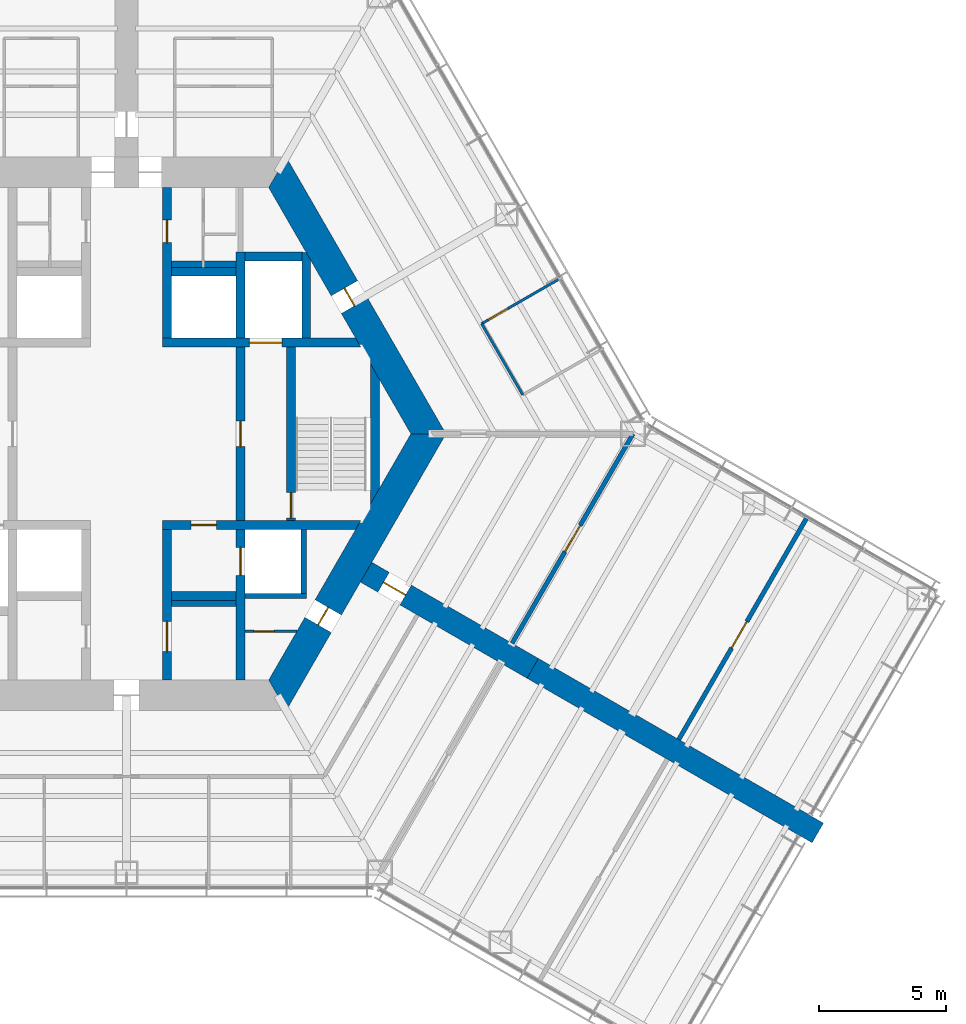
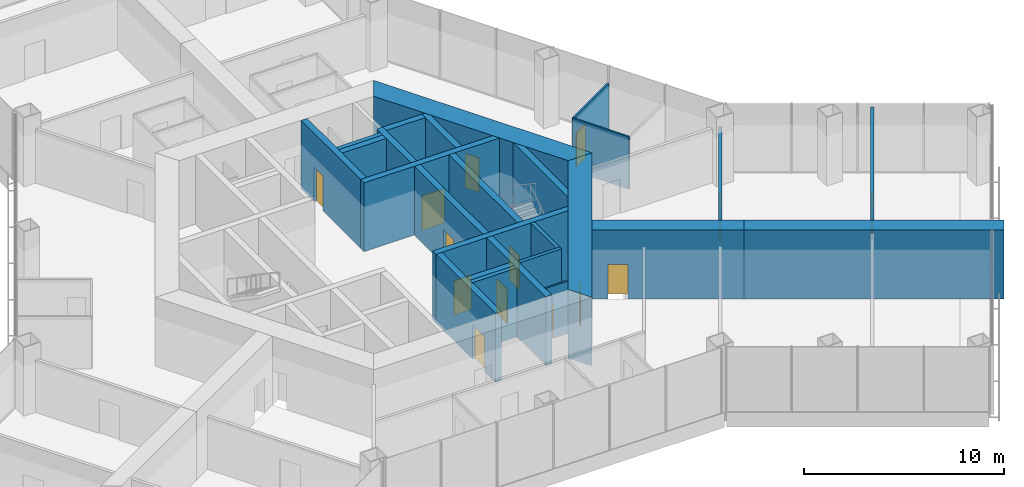
# One storey, part 12 of 16: 26 walls, 14 doors, 14 openings.
"""IFC4 building model written with IfcOpenShell, lengths in metres."""

from ifc_helpers import new_model, si_unit, direction, frame, frame_2d, origin, place, context, subcontext, project, spatial, polyline, rectangle, outline, extrude, material, layer, layer_set, type_object, element, fill, save


model = new_model("IFC4")

# Units and contexts
model_context = context("Model", 3, precision=1e-05, world=origin(), true_north=direction((0.0, 1.0)))
body_context = subcontext(model_context, "Body", "Model", "MODEL_VIEW")
ifc_project = project(units=[si_unit("LENGTHUNIT", "METRE"), si_unit("AREAUNIT", "SQUARE_METRE"), si_unit("VOLUMEUNIT", "CUBIC_METRE"), si_unit("PLANEANGLEUNIT", "RADIAN"), si_unit("MASSUNIT", "GRAM", prefix="KILO")], contexts=[model_context])

# Site, building, storey
site_placement = place(None, origin())
site = spatial("IfcSite", under=ifc_project, at=site_placement, CompositionType="ELEMENT")
building_placement = place(site_placement, origin())
building = spatial("IfcBuilding", under=site, at=building_placement, Name="Kasaneha Research Tower", CompositionType="ELEMENT")
storey_placement = place(building_placement, frame((0.0, 0.0, 22.60009765625)))
storey = spatial("IfcBuildingStorey", under=building, at=storey_placement, Name="L06", CompositionType="ELEMENT", Elevation=22.60009765625)

# Wall, opening, door
ifc_material_1 = material(Name="Concrete Fc100", Category="concrete")
ifc_layer_1 = layer(ifc_material_1, 0.35009765625)
ifc_layer_set_1 = layer_set([ifc_layer_1], Name="Core internal wall 350 Fc100")
wall_type_1 = type_object("IfcWallType", Name="Core internal wall 350 Fc100", PredefinedType="SHEAR", material=ifc_layer_set_1)
wall_1_placement = place(storey_placement, frame((1.425048828125, 3.60009765625, 0.0), z_axis=(0.0, 0.0, 1.0), x_axis=(1.0, 0.0, 0.0)))
wall_1 = element("IfcWall", 1, at=wall_1_placement, inside=storey, type_object=wall_type_1, Name="Core wall W1E L06", PredefinedType="SHEAR", context=body_context, shape_type="SweptSolid", body=[
    extrude(outline(polyline([(0.0, -0.175048828125), (3.425048828125, -0.175048828125), (4.72509765625, -0.175048828125), (7.8271484375, -0.175048828125), (7.625, 0.175048828125), (4.72509765625, 0.175048828125), (3.425048828125, 0.175048828125), (0.0, 0.175048828125), (0.0, -0.175048828125)])), origin(), (0.0, 0.0, 1.0), 4.199951171875),
])
opening_1_placement = place(wall_1_placement, frame((3.425048828125, 0.0, 0.0)))
opening_1 = element("IfcOpeningElement", 2, at=opening_1_placement, cuts=wall_1, Name="Opening LD-FL1-L06", PredefinedType="OPENING", context=body_context, shape_type="SweptSolid", body=[
    extrude(rectangle(XDim=1.300048828125, YDim=2.10009765625, at=frame_2d((0.64990234375, 1.050048828125))), frame((0.0, 0.18505859375, 0.0), z_axis=(0.0, -1.0, 0.0), x_axis=(1.0, 0.0, 0.0)), (0.0, 0.0, 1.0), 0.3701171875),
])
ifc_material_2 = material(Name="Steel", Category="steel")
door_type_1 = type_object("IfcDoorType", Name="Lift landing door 1300x2100", OperationType="DOUBLE_DOOR_SLIDING", PredefinedType="DOOR", material=ifc_material_2)
door_1_placement = place(opening_1_placement, origin())
door_1 = element("IfcDoor", 3, at=door_1_placement, inside=storey, type_object=door_type_1, Name="Landing door FL1 LD-FL1-L06", OperationType="DOUBLE_DOOR_SLIDING", OverallHeight=2.10009765625, OverallWidth=1.300048828125, PredefinedType="DOOR", context=body_context, shape_type="SweptSolid", body=[
    extrude(rectangle(XDim=1.300048828125, YDim=2.10009765625, at=frame_2d((0.64990234375, 1.050048828125))), frame((0.0, 0.02490234375, 0.0), z_axis=(0.0, -1.0, 0.0), x_axis=(1.0, 0.0, 0.0)), (0.0, 0.0, 1.0), 0.050048828125),
])
fill(opening_1, door_1)

wall_2_placement = place(storey_placement, frame((1.425048828125, -3.60009765625, 0.0), z_axis=(0.0, 0.0, 1.0), x_axis=(1.0, 0.0, 0.0)))
wall_2 = element("IfcWall", 4, at=wall_2_placement, inside=storey, type_object=wall_type_1, Name="Core wall W2E L06", PredefinedType="SHEAR", context=body_context, shape_type="SweptSolid", body=[
    extrude(outline(polyline([(0.0, -0.175048828125), (1.125, -0.175048828125), (2.125, -0.175048828125), (7.625, -0.175048828125), (7.8271484375, 0.175048828125), (2.125, 0.175048828125), (1.125, 0.175048828125), (0.0, 0.175048828125), (0.0, -0.175048828125)])), origin(), (0.0, 0.0, 1.0), 4.199951171875),
])
opening_2_placement = place(wall_2_placement, frame((1.125, 0.0, 0.0)))
opening_2 = element("IfcOpeningElement", 5, at=opening_2_placement, cuts=wall_2, Name="Opening L06-LV", PredefinedType="OPENING", context=body_context, shape_type="SweptSolid", body=[
    extrude(rectangle(XDim=1.0, YDim=2.10009765625, at=frame_2d((0.5, 1.050048828125))), frame((0.0, 0.18505859375, 0.0), z_axis=(0.0, -1.0, 0.0), x_axis=(1.0, 0.0, 0.0)), (0.0, 0.0, 1.0), 0.3701171875),
])
ifc_material_3 = material(Name="Steel", Category="steel")
door_type_2 = type_object("IfcDoorType", Name="Specified fire door FD60 1000x2100", OperationType="NOTDEFINED", PredefinedType="DOOR", material=ifc_material_3)
door_2_placement = place(opening_2_placement, origin())
door_2 = element("IfcDoor", 6, at=door_2_placement, inside=storey, type_object=door_type_2, Name="Podium vestibule door L06-LV", OperationType="SINGLE_SWING_LEFT", OverallHeight=2.10009765625, OverallWidth=1.0, PredefinedType="DOOR", context=body_context, shape_type="SweptSolid", body=[
    extrude(rectangle(XDim=1.0, YDim=2.10009765625, at=frame_2d((0.5, 1.050048828125))), frame((0.0, 0.02490234375, 0.0), z_axis=(0.0, -1.0, 0.0), x_axis=(1.0, 0.0, 0.0)), (0.0, 0.0, 1.0), 0.050048828125),
])
fill(opening_2, door_2)

wall_3_placement = place(storey_placement, frame((1.60009765625, 3.77490234375, 0.0), z_axis=(0.0, 0.0, 1.0), x_axis=(0.0, 1.0, 0.0)))
wall_3 = element("IfcWall", 7, at=wall_3_placement, inside=storey, type_object=wall_type_1, Name="Core wall CNE L06", PredefinedType="SHEAR", context=body_context, shape_type="SweptSolid", body=[
    extrude(rectangle(XDim=5.9501953125, YDim=0.35009765625, at=frame_2d((2.97509765625, 0.0))), origin(), (0.0, 0.0, 1.0), 4.199951171875),
])
opening_3_placement = place(wall_3_placement, frame((3.77490234375, 0.0, 0.0)))
opening_3 = element("IfcOpeningElement", 8, at=opening_3_placement, cuts=wall_3, Name="Opening L06-D14", PredefinedType="OPENING", context=body_context, shape_type="SweptSolid", body=[
    extrude(rectangle(XDim=0.89990234375, YDim=2.10009765625, at=frame_2d((0.449951171875, 1.050048828125))), frame((0.0, 0.18505859375, 0.0), z_axis=(0.0, -1.0, 0.0), x_axis=(1.0, 0.0, 0.0)), (0.0, 0.0, 1.0), 0.3701171875),
])
ifc_material_4 = material(Name="Steel", Category="steel")
door_type_3 = type_object("IfcDoorType", Name="Toilet door FD20 900x2100", OperationType="NOTDEFINED", PredefinedType="DOOR", material=ifc_material_4)
door_3_placement = place(opening_3_placement, origin())
door_3 = element("IfcDoor", 9, at=door_3_placement, inside=storey, type_object=door_type_3, Name="Women's WC door L06-D14", OperationType="SINGLE_SWING_LEFT", OverallHeight=2.10009765625, OverallWidth=0.89990234375, PredefinedType="DOOR", context=body_context, shape_type="SweptSolid", body=[
    extrude(rectangle(XDim=0.89990234375, YDim=2.10009765625, at=frame_2d((0.449951171875, 1.050048828125))), frame((0.0, 0.02490234375, 0.0), z_axis=(0.0, -1.0, 0.0), x_axis=(1.0, 0.0, 0.0)), (0.0, 0.0, 1.0), 0.050048828125),
])
fill(opening_3, door_3)

wall_4_placement = place(storey_placement, frame((1.60009765625, -3.77490234375, 0.0), z_axis=(0.0, 0.0, 1.0), x_axis=(0.0, -1.0, 0.0)))
wall_4 = element("IfcWall", 10, at=wall_4_placement, inside=storey, type_object=wall_type_1, Name="Core wall CSE L06", PredefinedType="SHEAR", context=body_context, shape_type="SweptSolid", body=[
    extrude(rectangle(XDim=5.9501953125, YDim=0.35009765625, at=frame_2d((2.97509765625, 0.0))), origin(), (0.0, 0.0, 1.0), 4.199951171875),
])
opening_4_placement = place(wall_4_placement, frame((3.625, 0.0, 0.0)))
opening_4 = element("IfcOpeningElement", 11, at=opening_4_placement, cuts=wall_4, Name="Opening L06-D15", PredefinedType="OPENING", context=body_context, shape_type="SweptSolid", body=[
    extrude(rectangle(XDim=1.199951171875, YDim=2.10009765625, at=frame_2d((0.60009765625, 1.050048828125))), frame((0.0, 0.18505859375, 0.0), z_axis=(0.0, -1.0, 0.0), x_axis=(1.0, 0.0, 0.0)), (0.0, 0.0, 1.0), 0.3701171875),
])
ifc_material_5 = material(Name="Steel", Category="steel")
door_type_4 = type_object("IfcDoorType", Name="Accessible toilet sliding door FD20 1200x2100", OperationType="SLIDING_TO_LEFT", PredefinedType="DOOR", material=ifc_material_5)
door_4_placement = place(opening_4_placement, origin())
door_4 = element("IfcDoor", 12, at=door_4_placement, inside=storey, type_object=door_type_4, Name="Accessible WC door L06-D15", OperationType="SLIDING_TO_LEFT", OverallHeight=2.10009765625, OverallWidth=1.199951171875, PredefinedType="DOOR", context=body_context, shape_type="SweptSolid", body=[
    extrude(rectangle(XDim=1.199951171875, YDim=2.10009765625, at=frame_2d((0.60009765625, 1.050048828125))), frame((0.0, 0.02490234375, 0.0), z_axis=(0.0, -1.0, 0.0), x_axis=(1.0, 0.0, 0.0)), (0.0, 0.0, 1.0), 0.050048828125),
])
fill(opening_4, door_4)

wall_5_placement = place(storey_placement, frame((4.5, -3.425048828125, 0.0), z_axis=(0.0, 0.0, 1.0), x_axis=(0.0, 1.0, 0.0)))
wall_5 = element("IfcWall", 13, at=wall_5_placement, inside=storey, type_object=wall_type_1, Name="Core wall LBE L06", PredefinedType="SHEAR", context=body_context, shape_type="SweptSolid", body=[
    extrude(rectangle(XDim=6.85009765625, YDim=0.35009765625, at=frame_2d((3.425048828125, 0.0))), origin(), (0.0, 0.0, 1.0), 4.199951171875),
])
opening_5_placement = place(wall_5_placement, frame((2.925048828125, 0.0, 0.0)))
opening_5 = element("IfcOpeningElement", 14, at=opening_5_placement, cuts=wall_5, Name="Opening L06-D08", PredefinedType="OPENING", context=body_context, shape_type="SweptSolid", body=[
    extrude(rectangle(XDim=1.0, YDim=2.10009765625, at=frame_2d((0.5, 1.050048828125))), frame((0.0, 0.18505859375, 0.0), z_axis=(0.0, -1.0, 0.0), x_axis=(1.0, 0.0, 0.0)), (0.0, 0.0, 1.0), 0.3701171875),
])
door_5_placement = place(opening_5_placement, origin())
door_5 = element("IfcDoor", 15, at=door_5_placement, inside=storey, type_object=door_type_2, Name="Lift lobby door east L06-D08", OperationType="SINGLE_SWING_LEFT", OverallHeight=2.10009765625, OverallWidth=1.0, PredefinedType="DOOR", context=body_context, shape_type="SweptSolid", body=[
    extrude(rectangle(XDim=1.0, YDim=2.10009765625, at=frame_2d((0.5, 1.050048828125))), frame((0.0, 0.02490234375, 0.0), z_axis=(0.0, -1.0, 0.0), x_axis=(1.0, 0.0, 0.0)), (0.0, 0.0, 1.0), 0.050048828125),
])
fill(opening_5, door_5)

wall_6_placement = place(storey_placement, frame((6.5, -3.425048828125, 0.0), z_axis=(0.0, 0.0, 1.0), x_axis=(0.0, 1.0, 0.0)))
wall_6 = element("IfcWall", 16, at=wall_6_placement, inside=storey, type_object=wall_type_1, Name="Core wall ANE L06", PredefinedType="SHEAR", context=body_context, shape_type="SweptSolid", body=[
    extrude(rectangle(XDim=6.85009765625, YDim=0.35009765625, at=frame_2d((3.425048828125, 0.0))), origin(), (0.0, 0.0, 1.0), 4.199951171875),
])
opening_6_placement = place(wall_6_placement, frame((0.10009765625, 0.0, 0.0)))
opening_6 = element("IfcOpeningElement", 17, at=opening_6_placement, cuts=wall_6, Name="Opening L06-D10", PredefinedType="OPENING", context=body_context, shape_type="SweptSolid", body=[
    extrude(rectangle(XDim=1.0, YDim=2.10009765625, at=frame_2d((0.5, 1.050048828125))), frame((0.0, 0.18505859375, 0.0), z_axis=(0.0, -1.0, 0.0), x_axis=(1.0, 0.0, 0.0)), (0.0, 0.0, 1.0), 0.3701171875),
])
door_6_placement = place(opening_6_placement, origin())
door_6 = element("IfcDoor", 18, at=door_6_placement, inside=storey, type_object=door_type_2, Name="Stair 1 door L06-D10", OperationType="SINGLE_SWING_LEFT", OverallHeight=2.10009765625, OverallWidth=1.0, PredefinedType="DOOR", context=body_context, shape_type="SweptSolid", body=[
    extrude(rectangle(XDim=1.0, YDim=2.10009765625, at=frame_2d((0.5, 1.050048828125))), frame((0.0, 0.02490234375, 0.0), z_axis=(0.0, -1.0, 0.0), x_axis=(1.0, 0.0, 0.0)), (0.0, 0.0, 1.0), 0.050048828125),
])
fill(opening_6, door_6)

# Wall
wall_7_placement = place(storey_placement, frame((4.5, 3.77490234375, 0.0), z_axis=(0.0, 0.0, 1.0), x_axis=(0.0, 1.0, 0.0)))
element("IfcWall", 19, at=wall_7_placement, inside=storey, type_object=wall_type_1, Name="Core wall FNE L06", PredefinedType="SHEAR", context=body_context, shape_type="SweptSolid", body=[
    extrude(rectangle(XDim=3.400146484375, YDim=0.35009765625, at=frame_2d((1.7001953125, 0.0))), origin(), (0.0, 0.0, 1.0), 4.199951171875),
])

# Wall, opening, door
wall_8_placement = place(storey_placement, frame((4.5, -3.77490234375, 0.0), z_axis=(0.0, 0.0, 1.0), x_axis=(0.0, -1.0, 0.0)))
wall_8 = element("IfcWall", 20, at=wall_8_placement, inside=storey, type_object=wall_type_1, Name="Core wall SSE L06", PredefinedType="SHEAR", context=body_context, shape_type="SweptSolid", body=[
    extrude(rectangle(XDim=5.9501953125, YDim=0.35009765625, at=frame_2d((2.97509765625, 0.0))), origin(), (0.0, 0.0, 1.0), 4.199951171875),
])
opening_7_placement = place(wall_8_placement, frame((0.71240234375, 0.0, 0.0)))
opening_7 = element("IfcOpeningElement", 21, at=opening_7_placement, cuts=wall_8, Name="Opening LD-PL1-L06", PredefinedType="OPENING", context=body_context, shape_type="SweptSolid", body=[
    extrude(rectangle(XDim=1.10009765625, YDim=2.10009765625, at=frame_2d((0.550048828125, 1.050048828125))), frame((0.0, 0.18505859375, 0.0), z_axis=(0.0, -1.0, 0.0), x_axis=(1.0, 0.0, 0.0)), (0.0, 0.0, 1.0), 0.3701171875),
])
ifc_material_6 = material(Name="Steel", Category="steel")
door_type_5 = type_object("IfcDoorType", Name="Lift landing door 1100x2100", OperationType="DOUBLE_DOOR_SLIDING", PredefinedType="DOOR", material=ifc_material_6)
door_7_placement = place(opening_7_placement, origin())
door_7 = element("IfcDoor", 22, at=door_7_placement, inside=storey, type_object=door_type_5, Name="Landing door PL1 LD-PL1-L06", OperationType="DOUBLE_DOOR_SLIDING", OverallHeight=2.10009765625, OverallWidth=1.10009765625, PredefinedType="DOOR", context=body_context, shape_type="SweptSolid", body=[
    extrude(rectangle(XDim=1.10009765625, YDim=2.10009765625, at=frame_2d((0.550048828125, 1.050048828125))), frame((0.0, 0.02490234375, 0.0), z_axis=(0.0, -1.0, 0.0), x_axis=(1.0, 0.0, 0.0)), (0.0, 0.0, 1.0), 0.050048828125),
])
fill(opening_7, door_7)

# Walls
for number, where, z_axis, x_axis, name in (
    (23, (1.77490234375, 6.39990234375, 0.0), (0.0, 0.0, 1.0), (1.0, 0.0, 0.0), "Core wall N3N L06"),
    (24, (1.77490234375, -6.39990234375, 0.0), (0.0, 0.0, 1.0), (1.0, 0.0, 0.0), "Core wall S3S L06"),
):
    element("IfcWall", number, at=place(storey_placement, frame(where, z_axis=z_axis, x_axis=x_axis)), inside=storey, type_object=wall_type_1, Name=name, PredefinedType="SHEAR", context=body_context, shape_type="SweptSolid", body=[
        extrude(rectangle(XDim=2.550048828125, YDim=0.35009765625, at=frame_2d((1.27490234375, 0.0))), origin(), (0.0, 0.0, 1.0), 4.199951171875),
    ])
wall_9_placement = place(storey_placement, frame((4.675048828125, 7.0, 0.0), z_axis=(0.0, 0.0, 1.0), x_axis=(1.0, 0.0, 0.0)))
element("IfcWall", 25, at=wall_9_placement, inside=storey, type_object=wall_type_1, Name="Core wall F1N L06", PredefinedType="SHEAR", context=body_context, shape_type="SweptSolid", body=[
    extrude(rectangle(XDim=2.25, YDim=0.35009765625, at=frame_2d((1.125, 0.0))), origin(), (0.0, 0.0, 1.0), 4.199951171875),
])
wall_10_placement = place(storey_placement, frame((7.10009765625, 3.77490234375, 0.0), z_axis=(0.0, 0.0, 1.0), x_axis=(0.0, 1.0, 0.0)))
element("IfcWall", 26, at=wall_10_placement, inside=storey, type_object=wall_type_1, Name="Core wall F1E L06", PredefinedType="SHEAR", context=body_context, shape_type="SweptSolid", body=[
    extrude(outline(polyline([(0.0, -0.175048828125), (3.07421875, -0.175048828125), (3.37744140625, 0.0), (3.39990234375, 0.175048828125), (0.0, 0.175048828125), (0.0, -0.175048828125)])), origin(), (0.0, 0.0, 1.0), 4.199951171875),
])
wall_11_placement = place(storey_placement, frame((9.807861328125, -2.462158203125, 0.0), z_axis=(0.0, 0.0, 1.0), x_axis=(0.0, 1.0, 0.0)))
element("IfcWall", 27, at=wall_11_placement, inside=storey, type_object=wall_type_1, Name="Core wall STE L06", PredefinedType="SHEAR", context=body_context, shape_type="SweptSolid", body=[
    extrude(outline(polyline([(0.30322265625, -0.175048828125), (4.62109375, -0.175048828125), (5.2275390625, 0.175048828125), (-0.30322265625, 0.175048828125), (0.30322265625, -0.175048828125)])), origin(), (0.0, 0.0, 1.0), 4.199951171875),
])

# Wall, opening, door
ifc_material_7 = material(Name="Concrete Fc100", Category="concrete")
ifc_layer_2 = layer(ifc_material_7, 1.199951171875)
ifc_layer_set_2 = layer_set([ifc_layer_2], Name="Core wall 1200 Fc100")
wall_type_2 = type_object("IfcWallType", Name="Core wall 1200 Fc100", PredefinedType="SHEAR", material=ifc_layer_set_2)
wall_12_placement = place(storey_placement, frame((11.92236328125, 0.0, 0.0), z_axis=(0.0, 0.0, 1.0), x_axis=(-0.500004296715, 0.866022923061, 0.0)))
wall_12 = element("IfcWall", 28, at=wall_12_placement, inside=storey, type_object=wall_type_2, Name="Core wall 030 L06", PredefinedType="SHEAR", context=body_context, shape_type="SweptSolid", body=[
    extrude(outline(polyline([(-0.346435546875, -0.60009765625), (5.83544921875, -0.60009765625), (6.635498046875, -0.60009765625), (12.268798828125, -0.60009765625), (11.575927734375, 0.60009765625), (6.635498046875, 0.60009765625), (5.83544921875, 0.60009765625), (0.346435546875, 0.60009765625), (-0.346435546875, -0.60009765625)])), origin(), (0.0, 0.0, 1.0), 4.199951171875),
])
opening_8_placement = place(wall_12_placement, frame((5.83544921875, 0.0, 0.0)))
opening_8 = element("IfcOpeningElement", 29, at=opening_8_placement, cuts=wall_12, Name="Opening L06-D04", PredefinedType="OPENING", context=body_context, shape_type="SweptSolid", body=[
    extrude(rectangle(XDim=0.800048828125, YDim=2.10009765625, at=frame_2d((0.39990234375, 1.050048828125))), frame((0.0, 0.60986328125, 0.0), z_axis=(0.0, -1.0, 0.0), x_axis=(1.0, 0.0, 0.0)), (0.0, 0.0, 1.0), 1.219970703125),
])
ifc_material_8 = material(Name="Steel", Category="steel")
door_type_6 = type_object("IfcDoorType", Name="Riser access door FD60 800x2100", OperationType="NOTDEFINED", PredefinedType="DOOR", material=ifc_material_8)
door_8_placement = place(opening_8_placement, origin())
door_8 = element("IfcDoor", 30, at=door_8_placement, inside=storey, type_object=door_type_6, Name="Pipe riser door L06-D04", OperationType="SINGLE_SWING_RIGHT", OverallHeight=2.10009765625, OverallWidth=0.800048828125, PredefinedType="DOOR", context=body_context, shape_type="SweptSolid", body=[
    extrude(rectangle(XDim=0.800048828125, YDim=2.10009765625, at=frame_2d((0.39990234375, 1.050048828125))), frame((0.0, 0.02490234375, 0.0), z_axis=(0.0, -1.0, 0.0), x_axis=(1.0, 0.0, 0.0)), (0.0, 0.0, 1.0), 0.050048828125),
])
fill(opening_8, door_8)

wall_13_placement = place(storey_placement, frame((5.961181640625, -10.324951171875, 0.0), z_axis=(0.0, 0.0, 1.0), x_axis=(0.500004296715, 0.866022923061, 0.0)))
wall_13 = element("IfcWall", 31, at=wall_13_placement, inside=storey, type_object=wall_type_2, Name="Core wall 330 L06", PredefinedType="SHEAR", context=body_context, shape_type="SweptSolid", body=[
    extrude(outline(polyline([(-0.346435546875, -0.60009765625), (3.20849609375, -0.60009765625), (4.008544921875, -0.60009765625), (12.268798828125, -0.60009765625), (11.575927734375, 0.60009765625), (4.008544921875, 0.60009765625), (3.20849609375, 0.60009765625), (0.346435546875, 0.60009765625), (-0.346435546875, -0.60009765625)])), origin(), (0.0, 0.0, 1.0), 4.199951171875),
])
opening_9_placement = place(wall_13_placement, frame((3.20849609375, 0.0, 0.0)))
opening_9 = element("IfcOpeningElement", 32, at=opening_9_placement, cuts=wall_13, Name="Opening L06-D05", PredefinedType="OPENING", context=body_context, shape_type="SweptSolid", body=[
    extrude(rectangle(XDim=0.800048828125, YDim=2.10009765625, at=frame_2d((0.39990234375, 1.050048828125))), frame((0.0, 0.60986328125, 0.0), z_axis=(0.0, -1.0, 0.0), x_axis=(1.0, 0.0, 0.0)), (0.0, 0.0, 1.0), 1.219970703125),
])
door_9_placement = place(opening_9_placement, origin())
door_9 = element("IfcDoor", 33, at=door_9_placement, inside=storey, type_object=door_type_6, Name="Pipe riser door L06-D05", OperationType="SINGLE_SWING_LEFT", OverallHeight=2.10009765625, OverallWidth=0.800048828125, PredefinedType="DOOR", context=body_context, shape_type="SweptSolid", body=[
    extrude(rectangle(XDim=0.800048828125, YDim=2.10009765625, at=frame_2d((0.39990234375, 1.050048828125))), frame((0.0, 0.02490234375, 0.0), z_axis=(0.0, -1.0, 0.0), x_axis=(1.0, 0.0, 0.0)), (0.0, 0.0, 1.0), 0.050048828125),
])
fill(opening_9, door_9)

ifc_material_9 = material(Name="Gypsum board on steel studs, two layers each side", Category="steel")
ifc_layer_3 = layer(ifc_material_9, 0.175048828125)
ifc_layer_set_3 = layer_set([ifc_layer_3], Name="Laboratory fire partition 175")
wall_type_3 = type_object("IfcWallType", Name="Laboratory fire partition 175", PredefinedType="PARTITIONING", material=ifc_layer_set_3)
wall_14_placement = place(storey_placement, frame((15.22509765625, -8.2705078125, 0.0), z_axis=(0.0, 0.0, 1.0), x_axis=(0.499993908199, 0.866028920859, 0.0)))
wall_14 = element("IfcWall", 34, at=wall_14_placement, inside=storey, type_object=wall_type_3, Name="Laboratory fire partition LABC-E L06", PredefinedType="PARTITIONING", context=body_context, shape_type="SweptSolid", body=[
    extrude(rectangle(XDim=9.5498046875, YDim=0.175048828125, at=frame_2d((4.77490234375, 0.0))), origin(), (0.0, 0.0, 1.0), 3.2080078125),
])
opening_10_placement = place(wall_14_placement, frame((4.175048828125, 0.0, 0.0)))
opening_10 = element("IfcOpeningElement", 35, at=opening_10_placement, cuts=wall_14, Name="Opening L06-D42", PredefinedType="OPENING", context=body_context, shape_type="SweptSolid", body=[
    extrude(rectangle(XDim=1.199951171875, YDim=2.10009765625, at=frame_2d((0.60009765625, 1.050048828125))), frame((0.0, 0.09765625, 0.0), z_axis=(0.0, -1.0, 0.0), x_axis=(1.0, 0.0, 0.0)), (0.0, 0.0, 1.0), 0.195068359375),
])
ifc_material_10 = material(Name="Steel", Category="steel")
door_type_7 = type_object("IfcDoorType", Name="Laboratory door FD60 1200x2100", OperationType="DOUBLE_DOOR_SINGLE_SWING", PredefinedType="DOOR", material=ifc_material_10)
door_10_placement = place(opening_10_placement, origin())
door_10 = element("IfcDoor", 36, at=door_10_placement, inside=storey, type_object=door_type_7, Name="Laboratory door L06-D42", OperationType="DOUBLE_DOOR_SINGLE_SWING", OverallHeight=2.10009765625, OverallWidth=1.199951171875, PredefinedType="DOOR", context=body_context, shape_type="SweptSolid", body=[
    extrude(rectangle(XDim=1.199951171875, YDim=2.10009765625, at=frame_2d((0.60009765625, 1.050048828125))), frame((0.0, 0.02490234375, 0.0), z_axis=(0.0, -1.0, 0.0), x_axis=(1.0, 0.0, 0.0)), (0.0, 0.0, 1.0), 0.050048828125),
])
fill(opening_10, door_10)

wall_15_placement = place(storey_placement, frame((21.806884765625, -12.070556640625, 0.0), z_axis=(0.0, 0.0, 1.0), x_axis=(0.499994227129, 0.866028736727, 0.0)))
wall_15 = element("IfcWall", 37, at=wall_15_placement, inside=storey, type_object=wall_type_3, Name="Laboratory fire partition SUPC-E L06", PredefinedType="PARTITIONING", context=body_context, shape_type="SweptSolid", body=[
    extrude(rectangle(XDim=10.134765625, YDim=0.175048828125, at=frame_2d((5.0673828125, 0.0))), origin(), (0.0, 0.0, 1.0), 4.0),
])
opening_11_placement = place(wall_15_placement, frame((4.175048828125, 0.0, 0.0)))
opening_11 = element("IfcOpeningElement", 38, at=opening_11_placement, cuts=wall_15, Name="Opening L06-D43", PredefinedType="OPENING", context=body_context, shape_type="SweptSolid", body=[
    extrude(rectangle(XDim=1.199951171875, YDim=2.10009765625, at=frame_2d((0.60009765625, 1.050048828125))), frame((0.0, 0.09765625, 0.0), z_axis=(0.0, -1.0, 0.0), x_axis=(1.0, 0.0, 0.0)), (0.0, 0.0, 1.0), 0.195068359375),
])
door_11_placement = place(opening_11_placement, origin())
door_11 = element("IfcDoor", 39, at=door_11_placement, inside=storey, type_object=door_type_7, Name="Laboratory support room door L06-D43", OperationType="DOUBLE_DOOR_SINGLE_SWING", OverallHeight=2.10009765625, OverallWidth=1.199951171875, PredefinedType="DOOR", context=body_context, shape_type="SweptSolid", body=[
    extrude(rectangle(XDim=1.199951171875, YDim=2.10009765625, at=frame_2d((0.60009765625, 1.050048828125))), frame((0.0, 0.02490234375, 0.0), z_axis=(0.0, -1.0, 0.0), x_axis=(1.0, 0.0, 0.0)), (0.0, 0.0, 1.0), 0.050048828125),
])
fill(opening_11, door_11)

# Walls
ifc_material_11 = material(Name="Concrete block", Category="concrete")
ifc_layer_4 = layer(ifc_material_11, 0.199951171875)
ifc_layer_set_4 = layer_set([ifc_layer_4], Name="Lift shaft wall 200")
wall_type_4 = type_object("IfcWallType", Name="Lift shaft wall 200", PredefinedType="STANDARD", material=ifc_layer_set_4)
wall_16_placement = place(storey_placement, frame((4.675048828125, -6.39990234375, 0.0), z_axis=(0.0, 0.0, 1.0), x_axis=(1.0, 0.0, 0.0)))
element("IfcWall", 40, at=wall_16_placement, inside=storey, type_object=wall_type_4, Name="Lift shaft wall P1S L06", PredefinedType="STANDARD", context=body_context, shape_type="SweptSolid", body=[
    extrude(rectangle(XDim=2.425048828125, YDim=0.199951171875, at=frame_2d((1.21240234375, 0.0))), origin(), (0.0, 0.0, 1.0), 4.199951171875),
])
wall_17_placement = place(storey_placement, frame((7.0, -3.77490234375, 0.0), z_axis=(0.0, 0.0, 1.0), x_axis=(0.0, -1.0, 0.0)))
element("IfcWall", 41, at=wall_17_placement, inside=storey, type_object=wall_type_4, Name="Lift shaft wall P1E L06", PredefinedType="STANDARD", context=body_context, shape_type="SweptSolid", body=[
    extrude(rectangle(XDim=2.525146484375, YDim=0.199951171875, at=frame_2d((1.2626953125, 0.0))), origin(), (0.0, 0.0, 1.0), 4.199951171875),
])

# Wall, opening, door
ifc_material_12 = material(Name="Gypsum board on steel studs, one layer each side", Category="steel")
ifc_layer_5 = layer(ifc_material_12, 0.10009765625)
ifc_layer_set_5 = layer_set([ifc_layer_5], Name="Office partition 100")
wall_type_5 = type_object("IfcWallType", Name="Office partition 100", PredefinedType="PARTITIONING", material=ifc_layer_set_5)
wall_18_placement = place(storey_placement, frame((4.675048828125, -7.800048828125, 0.0), z_axis=(0.0, 0.0, 1.0), x_axis=(1.0, 0.0, 0.0)))
wall_18 = element("IfcWall", 42, at=wall_18_placement, inside=storey, type_object=wall_type_5, Name="Office partition RS-SE L06", PredefinedType="PARTITIONING", context=body_context, shape_type="SweptSolid", body=[
    extrude(outline(polyline([(0.0, -0.050048828125), (0.35009765625, -0.050048828125), (1.150146484375, -0.050048828125), (2.022216796875, -0.050048828125), (2.051025390625, 0.0), (2.056884765625, 0.050048828125), (1.150146484375, 0.050048828125), (0.35009765625, 0.050048828125), (0.0, 0.050048828125), (0.0, -0.050048828125)])), origin(), (0.0, 0.0, 1.0), 3.199951171875),
])
opening_12_placement = place(wall_18_placement, frame((0.35009765625, 0.0, 0.0)))
opening_12 = element("IfcOpeningElement", 43, at=opening_12_placement, cuts=wall_18, Name="Opening L06-D24", PredefinedType="OPENING", context=body_context, shape_type="SweptSolid", body=[
    extrude(rectangle(XDim=0.800048828125, YDim=2.10009765625, at=frame_2d((0.39990234375, 1.050048828125))), frame((0.0, 0.06005859375, 0.0), z_axis=(0.0, -1.0, 0.0), x_axis=(1.0, 0.0, 0.0)), (0.0, 0.0, 1.0), 0.1201171875),
])
door_12_placement = place(opening_12_placement, origin())
door_12 = element("IfcDoor", 44, at=door_12_placement, inside=storey, type_object=door_type_6, Name="Drainage riser door L06-D24", OperationType="SINGLE_SWING_LEFT", OverallHeight=2.10009765625, OverallWidth=0.800048828125, PredefinedType="DOOR", context=body_context, shape_type="SweptSolid", body=[
    extrude(rectangle(XDim=0.800048828125, YDim=2.10009765625, at=frame_2d((0.39990234375, 1.050048828125))), frame((0.0, 0.02490234375, 0.0), z_axis=(0.0, -1.0, 0.0), x_axis=(1.0, 0.0, 0.0)), (0.0, 0.0, 1.0), 0.050048828125),
])
fill(opening_12, door_12)

wall_19_placement = place(storey_placement, frame((14.025146484375, 4.348876953125, 0.0), z_axis=(0.0, 0.0, 1.0), x_axis=(0.866043466982, 0.49996871232, 0.0)))
wall_19 = element("IfcWall", 45, at=wall_19_placement, inside=storey, type_object=wall_type_5, Name="Office partition FAE01 L06", PredefinedType="PARTITIONING", context=body_context, shape_type="SweptSolid", body=[
    extrude(rectangle(XDim=3.489990234375, YDim=0.10009765625, at=frame_2d((1.7451171875, 0.0))), origin(), (0.0, 0.0, 1.0), 3.199951171875),
])
opening_13_placement = place(wall_19_placement, frame((0.300048828125, 0.0, 0.0)))
opening_13 = element("IfcOpeningElement", 46, at=opening_13_placement, cuts=wall_19, Name="Opening L06-D31", PredefinedType="OPENING", context=body_context, shape_type="SweptSolid", body=[
    extrude(rectangle(XDim=0.89990234375, YDim=2.10009765625, at=frame_2d((0.449951171875, 1.050048828125))), frame((0.0, 0.06005859375, 0.0), z_axis=(0.0, -1.0, 0.0), x_axis=(1.0, 0.0, 0.0)), (0.0, 0.0, 1.0), 0.1201171875),
])
ifc_material_13 = material(Name="Timber veneer", Category="wood")
door_type_8 = type_object("IfcDoorType", Name="Office door 900x2100", OperationType="SINGLE_SWING_LEFT", PredefinedType="DOOR", material=ifc_material_13)
door_13_placement = place(opening_13_placement, origin())
door_13 = element("IfcDoor", 47, at=door_13_placement, inside=storey, type_object=door_type_8, Name="Principal investigator office door L06-D31", OperationType="SINGLE_SWING_LEFT", OverallHeight=2.10009765625, OverallWidth=0.89990234375, PredefinedType="DOOR", context=body_context, shape_type="SweptSolid", body=[
    extrude(rectangle(XDim=0.89990234375, YDim=2.10009765625, at=frame_2d((0.449951171875, 1.050048828125))), frame((0.0, 0.02490234375, 0.0), z_axis=(0.0, -1.0, 0.0), x_axis=(1.0, 0.0, 0.0)), (0.0, 0.0, 1.0), 0.050048828125),
])
fill(opening_13, door_13)

# Wall
wall_20_placement = place(storey_placement, frame((15.648193359375, 1.537353515625, 0.0), z_axis=(0.0, 0.0, 1.0), x_axis=(-0.499956811548, 0.866050337213, 0.0)))
element("IfcWall", 48, at=wall_20_placement, inside=storey, type_object=wall_type_5, Name="Office partition FAE02 L06", PredefinedType="PARTITIONING", context=body_context, shape_type="SweptSolid", body=[
    extrude(rectangle(XDim=3.246337890625, YDim=0.10009765625, at=frame_2d((1.623046875, 0.0))), origin(), (0.0, 0.0, 1.0), 3.199951171875),
])

# Wall, opening, door
ifc_material_14 = material(Name="Concrete Fc100", Category="concrete")
ifc_layer_6 = layer(ifc_material_14, 0.89990234375)
ifc_layer_set_6 = layer_set([ifc_layer_6], Name="Spine wall 900 Fc100")
wall_type_6 = type_object("IfcWallType", Name="Spine wall 900 Fc100", PredefinedType="SHEAR", material=ifc_layer_set_6)
wall_21_placement = place(storey_placement, frame((9.46142578125, -5.46240234375, 0.0), z_axis=(0.0, 0.0, 1.0), x_axis=(0.866019116917, -0.500010889016, 0.0)))
wall_21 = element("IfcWall", 49, at=wall_21_placement, inside=storey, type_object=wall_type_6, Name="Spine wall C L06", PredefinedType="SHEAR", context=body_context, shape_type="SweptSolid", body=[
    extrude(rectangle(XDim=7.595458984375, YDim=0.89990234375, at=frame_2d((3.7978515625, 0.0))), origin(), (0.0, 0.0, 1.0), 4.199951171875),
])
opening_14_placement = place(wall_21_placement, frame((0.800048828125, 0.0, 0.0)))
opening_14 = element("IfcOpeningElement", 50, at=opening_14_placement, cuts=wall_21, Name="Opening L06-D19", PredefinedType="OPENING", context=body_context, shape_type="SweptSolid", body=[
    extrude(rectangle(XDim=1.0, YDim=2.10009765625, at=frame_2d((0.5, 1.050048828125))), frame((0.0, 0.4599609375, 0.0), z_axis=(0.0, -1.0, 0.0), x_axis=(1.0, 0.0, 0.0)), (0.0, 0.0, 1.0), 0.919921875),
])
door_14_placement = place(opening_14_placement, origin())
door_14 = element("IfcDoor", 51, at=door_14_placement, inside=storey, type_object=door_type_2, Name="Spine doorway C L06-D19", OperationType="SINGLE_SWING_LEFT", OverallHeight=2.10009765625, OverallWidth=1.0, PredefinedType="DOOR", context=body_context, shape_type="SweptSolid", body=[
    extrude(rectangle(XDim=1.0, YDim=2.10009765625, at=frame_2d((0.5, 1.050048828125))), frame((0.0, 0.02490234375, 0.0), z_axis=(0.0, -1.0, 0.0), x_axis=(1.0, 0.0, 0.0)), (0.0, 0.0, 1.0), 0.050048828125),
])
fill(opening_14, door_14)

# Walls
wall_22_placement = place(storey_placement, frame((16.039306640625, -9.26025390625, 0.0), z_axis=(0.0, 0.0, 1.0), x_axis=(0.866024837091, -0.50000098154, 0.0)))
element("IfcWall", 52, at=wall_22_placement, inside=storey, type_object=wall_type_6, Name="Spine wall C wing L06", PredefinedType="SHEAR", context=body_context, shape_type="SweptSolid", body=[
    extrude(rectangle(XDim=13.0, YDim=0.89990234375, at=frame_2d((6.5, 0.0))), origin(), (0.0, 0.0, 1.0), 4.199951171875),
])
ifc_material_15 = material(Name="Concrete block lining", Category="concrete")
ifc_layer_7 = layer(ifc_material_15, 0.25)
ifc_layer_set_7 = layer_set([ifc_layer_7], Name="WC plumbing wall 250")
wall_type_7 = type_object("IfcWallType", Name="WC plumbing wall 250", PredefinedType="PLUMBINGWALL", material=ifc_layer_set_7)
for number, where, z_axis, x_axis, name in (
    (53, (1.77490234375, 6.699951171875, 0.0), (0.0, 0.0, 1.0), (1.0, 0.0, 0.0), "WC plumbing wall F L06"),
    (54, (1.77490234375, -6.699951171875, 0.0), (0.0, 0.0, 1.0), (1.0, 0.0, 0.0), "WC plumbing wall A L06"),
):
    element("IfcWall", number, at=place(storey_placement, frame(where, z_axis=z_axis, x_axis=x_axis)), inside=storey, type_object=wall_type_7, Name=name, PredefinedType="PLUMBINGWALL", context=body_context, shape_type="SweptSolid", body=[
        extrude(rectangle(XDim=2.550048828125, YDim=0.25, at=frame_2d((1.27490234375, 0.0))), origin(), (0.0, 0.0, 1.0), 4.199951171875),
    ])

save(model, "model.ifc")
